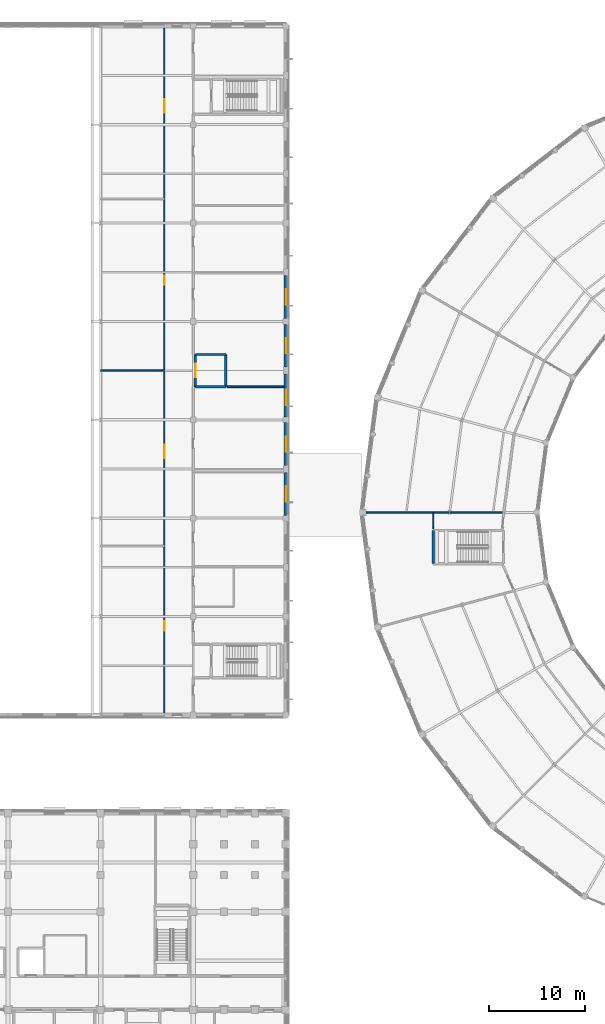
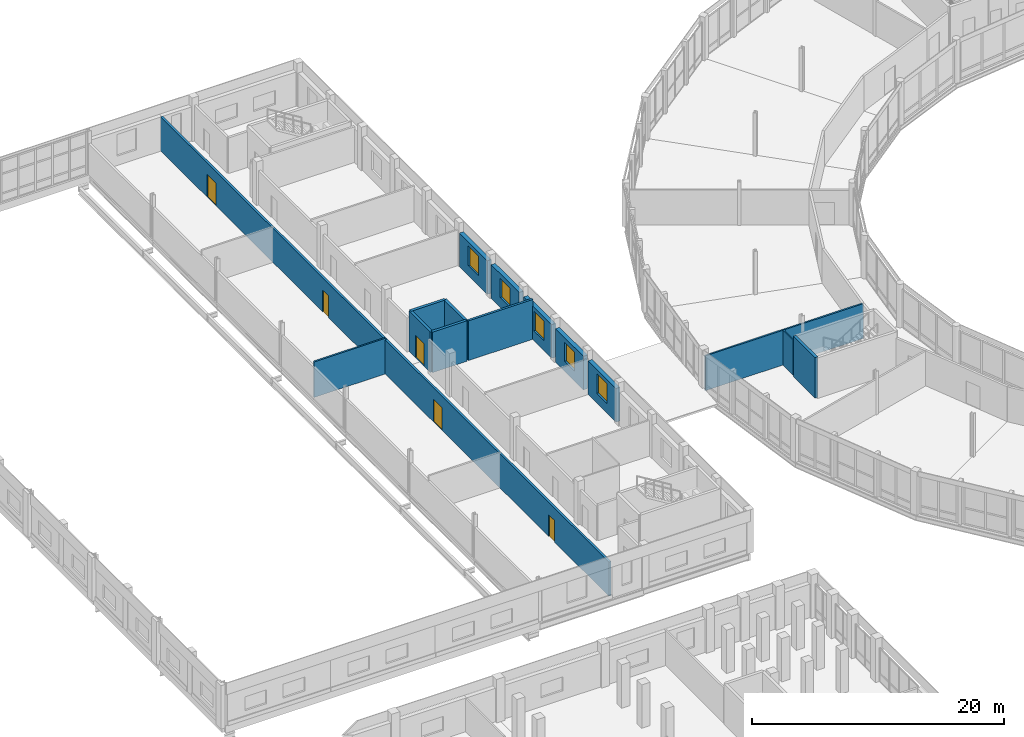
# One storey, part 142 of 170: 15 walls, 5 doors, 5 windows, 10 openings.
"""IFC4 building model written with IfcOpenShell, lengths in metres."""

from ifc_helpers import new_model, si_unit, direction, frame, frame_2d, origin, place, context, subcontext, project, spatial, rectangle, extrude, material, layer, layer_set, type_object, element, fill, save


model = new_model("IFC4")

# Units and contexts
model_context = context("Model", 3, precision=1e-05, world=origin(), true_north=direction((0.0, 1.0)))
body_context = subcontext(model_context, "Body", "Model", "MODEL_VIEW")
ifc_project = project(units=[si_unit("LENGTHUNIT", "METRE"), si_unit("AREAUNIT", "SQUARE_METRE"), si_unit("VOLUMEUNIT", "CUBIC_METRE"), si_unit("PLANEANGLEUNIT", "RADIAN"), si_unit("MASSUNIT", "GRAM", prefix="KILO")], contexts=[model_context])

# Site, building, storey
site_placement = place(None, origin())
site = spatial("IfcSite", under=ifc_project, at=site_placement, CompositionType="ELEMENT")
building_placement = place(site_placement, origin())
building = spatial("IfcBuilding", under=site, at=building_placement, Name="Vondelvale Polytechnic", CompositionType="ELEMENT")
storey_placement = place(building_placement, frame((0.0, 0.0, 5.39990234375)))
storey = spatial("IfcBuildingStorey", under=building, at=storey_placement, Name="L01", CompositionType="ELEMENT", Elevation=5.39990234375)

# Wall, opening, window
ifc_material_1 = material(Name="Amsterdam School iron-spot clinker clay brickwork", Category="masonry")
ifc_layer_1 = layer(ifc_material_1, 0.3798828125)
ifc_layer_set_1 = layer_set([ifc_layer_1], Name="WL-BRICK-380")
wall_type_1 = type_object("IfcWallType", Name="WL-BRICK-380", PredefinedType="SOLIDWALL", material=ifc_layer_set_1)
wall_1_placement = place(storey_placement, frame((48.0, 76.14892578125, 0.0), z_axis=(0.0, 0.0, 1.0), x_axis=(0.0, -1.0, 0.0)))
wall_1 = element("IfcWall", 1, at=wall_1_placement, inside=storey, type_object=wall_type_1, Name="L01 exterior masonry facade wall", PredefinedType="SOLIDWALL", context=body_context, shape_type="SweptSolid", body=[
    extrude(rectangle(XDim=4.447998046875, YDim=0.3798828125, at=frame_2d((2.22412109375, 0.0))), origin(), (0.0, 0.0, 1.0), 3.25),
])
opening_1_placement = place(wall_1_placement, frame((1.424072265625, 0.0, 0.949951171875)))
opening_1 = element("IfcOpeningElement", 2, at=opening_1_placement, cuts=wall_1, Name="Opening WN-0057", PredefinedType="OPENING", context=body_context, shape_type="SweptSolid", body=[
    extrude(rectangle(XDim=1.60009765625, YDim=1.89990234375, at=frame_2d((0.800048828125, 0.949951171875))), frame((0.0, 0.199951171875, 0.0), z_axis=(0.0, -1.0, 0.0), x_axis=(1.0, 0.0, 0.0)), (0.0, 0.0, 1.0), 0.39990234375),
])
ifc_material_2 = material(Name="Double-glazed low-E insulated architectural glass", Category="glass")
window_type_1 = type_object("IfcWindowType", Name="WN-SEM-1600x1900", PartitioningType="SINGLE_PANEL", PredefinedType="WINDOW", material=ifc_material_2)
window_1_placement = place(opening_1_placement, origin())
window_1 = element("IfcWindow", 3, at=window_1_placement, inside=storey, type_object=window_type_1, Name="L01 double-glazed architectural window WN-0057", OverallHeight=1.89990234375, OverallWidth=1.60009765625, PartitioningType="SINGLE_PANEL", PredefinedType="WINDOW", context=body_context, shape_type="SweptSolid", body=[
    extrude(rectangle(XDim=1.60009765625, YDim=1.89990234375, at=frame_2d((0.800048828125, 0.949951171875))), frame((0.0, 0.030029296875, 0.0), z_axis=(0.0, -1.0, 0.0), x_axis=(1.0, 0.0, 0.0)), (0.0, 0.0, 1.0), 0.06005859375),
])
fill(opening_1, window_1)

wall_2_placement = place(storey_placement, frame((48.0, 81.299072265625, 0.0), z_axis=(0.0, 0.0, 1.0), x_axis=(0.0, -1.0, 0.0)))
wall_2 = element("IfcWall", 4, at=wall_2_placement, inside=storey, type_object=wall_type_1, Name="L01 exterior masonry facade wall", PredefinedType="SOLIDWALL", context=body_context, shape_type="SweptSolid", body=[
    extrude(rectangle(XDim=4.447998046875, YDim=0.3798828125, at=frame_2d((2.22412109375, 0.0))), origin(), (0.0, 0.0, 1.0), 3.25),
])
opening_2_placement = place(wall_2_placement, frame((1.448974609375, 0.0, 0.949951171875)))
opening_2 = element("IfcOpeningElement", 5, at=opening_2_placement, cuts=wall_2, Name="Opening WN-0058", PredefinedType="OPENING", context=body_context, shape_type="SweptSolid", body=[
    extrude(rectangle(XDim=1.550048828125, YDim=1.85009765625, at=frame_2d((0.77490234375, 0.925048828125))), frame((0.0, 0.199951171875, 0.0), z_axis=(0.0, -1.0, 0.0), x_axis=(1.0, 0.0, 0.0)), (0.0, 0.0, 1.0), 0.39990234375),
])
window_type_2 = type_object("IfcWindowType", Name="WN-SEM-1550x1850", PartitioningType="SINGLE_PANEL", PredefinedType="WINDOW", material=ifc_material_2)
window_2_placement = place(opening_2_placement, origin())
window_2 = element("IfcWindow", 6, at=window_2_placement, inside=storey, type_object=window_type_2, Name="L01 double-glazed architectural window WN-0058", OverallHeight=1.85009765625, OverallWidth=1.550048828125, PartitioningType="SINGLE_PANEL", PredefinedType="WINDOW", context=body_context, shape_type="SweptSolid", body=[
    extrude(rectangle(XDim=1.550048828125, YDim=1.85009765625, at=frame_2d((0.77490234375, 0.925048828125))), frame((0.0, 0.030029296875, 0.0), z_axis=(0.0, -1.0, 0.0), x_axis=(1.0, 0.0, 0.0)), (0.0, 0.0, 1.0), 0.06005859375),
])
fill(opening_2, window_2)

wall_3_placement = place(storey_placement, frame((48.0, 86.34912109375, 0.0), z_axis=(0.0, 0.0, 1.0), x_axis=(0.0, -1.0, 0.0)))
wall_3 = element("IfcWall", 7, at=wall_3_placement, inside=storey, type_object=wall_type_1, Name="L01 exterior masonry facade wall", PredefinedType="SOLIDWALL", context=body_context, shape_type="SweptSolid", body=[
    extrude(rectangle(XDim=4.4482421875, YDim=0.3798828125, at=frame_2d((2.22412109375, 0.0))), origin(), (0.0, 0.0, 1.0), 3.25),
])
opening_3_placement = place(wall_3_placement, frame((1.64404296875, 0.0, 0.949951171875)))
opening_3 = element("IfcOpeningElement", 8, at=opening_3_placement, cuts=wall_3, Name="Opening WN-0059", PredefinedType="OPENING", context=body_context, shape_type="SweptSolid", body=[
    extrude(rectangle(XDim=1.60009765625, YDim=1.89990234375, at=frame_2d((0.800048828125, 0.949951171875))), frame((0.0, 0.199951171875, 0.0), z_axis=(0.0, -1.0, 0.0), x_axis=(1.0, 0.0, 0.0)), (0.0, 0.0, 1.0), 0.39990234375),
])
window_3_placement = place(opening_3_placement, origin())
window_3 = element("IfcWindow", 9, at=window_3_placement, inside=storey, type_object=window_type_1, Name="L01 double-glazed architectural window WN-0059", OverallHeight=1.89990234375, OverallWidth=1.60009765625, PartitioningType="SINGLE_PANEL", PredefinedType="WINDOW", context=body_context, shape_type="SweptSolid", body=[
    extrude(rectangle(XDim=1.60009765625, YDim=1.89990234375, at=frame_2d((0.800048828125, 0.949951171875))), frame((0.0, 0.030029296875, 0.0), z_axis=(0.0, -1.0, 0.0), x_axis=(1.0, 0.0, 0.0)), (0.0, 0.0, 1.0), 0.06005859375),
])
fill(opening_3, window_3)

wall_4_placement = place(storey_placement, frame((48.0, 91.4990234375, 0.0), z_axis=(0.0, 0.0, 1.0), x_axis=(0.0, -1.0, 0.0)))
wall_4 = element("IfcWall", 10, at=wall_4_placement, inside=storey, type_object=wall_type_1, Name="L01 exterior masonry facade wall", PredefinedType="SOLIDWALL", context=body_context, shape_type="SweptSolid", body=[
    extrude(rectangle(XDim=4.447998046875, YDim=0.3798828125, at=frame_2d((2.22412109375, 0.0))), origin(), (0.0, 0.0, 1.0), 3.25),
])
opening_4_placement = place(wall_4_placement, frame((1.448974609375, 0.0, 0.949951171875)))
opening_4 = element("IfcOpeningElement", 11, at=opening_4_placement, cuts=wall_4, Name="Opening WN-0060", PredefinedType="OPENING", context=body_context, shape_type="SweptSolid", body=[
    extrude(rectangle(XDim=1.550048828125, YDim=1.85009765625, at=frame_2d((0.77490234375, 0.925048828125))), frame((0.0, 0.199951171875, 0.0), z_axis=(0.0, -1.0, 0.0), x_axis=(1.0, 0.0, 0.0)), (0.0, 0.0, 1.0), 0.39990234375),
])
window_4_placement = place(opening_4_placement, origin())
window_4 = element("IfcWindow", 12, at=window_4_placement, inside=storey, type_object=window_type_2, Name="L01 double-glazed architectural window WN-0060", OverallHeight=1.85009765625, OverallWidth=1.550048828125, PartitioningType="SINGLE_PANEL", PredefinedType="WINDOW", context=body_context, shape_type="SweptSolid", body=[
    extrude(rectangle(XDim=1.550048828125, YDim=1.85009765625, at=frame_2d((0.77490234375, 0.925048828125))), frame((0.0, 0.030029296875, 0.0), z_axis=(0.0, -1.0, 0.0), x_axis=(1.0, 0.0, 0.0)), (0.0, 0.0, 1.0), 0.06005859375),
])
fill(opening_4, window_4)

wall_5_placement = place(storey_placement, frame((48.0, 96.549072265625, 0.0), z_axis=(0.0, 0.0, 1.0), x_axis=(0.0, -1.0, 0.0)))
wall_5 = element("IfcWall", 13, at=wall_5_placement, inside=storey, type_object=wall_type_1, Name="L01 exterior masonry facade wall", PredefinedType="SOLIDWALL", context=body_context, shape_type="SweptSolid", body=[
    extrude(rectangle(XDim=4.447998046875, YDim=0.3798828125, at=frame_2d((2.22412109375, 0.0))), origin(), (0.0, 0.0, 1.0), 3.25),
])
opening_5_placement = place(wall_5_placement, frame((1.424072265625, 0.0, 0.949951171875)))
opening_5 = element("IfcOpeningElement", 14, at=opening_5_placement, cuts=wall_5, Name="Opening WN-0061", PredefinedType="OPENING", context=body_context, shape_type="SweptSolid", body=[
    extrude(rectangle(XDim=1.60009765625, YDim=1.89990234375, at=frame_2d((0.800048828125, 0.949951171875))), frame((0.0, 0.199951171875, 0.0), z_axis=(0.0, -1.0, 0.0), x_axis=(1.0, 0.0, 0.0)), (0.0, 0.0, 1.0), 0.39990234375),
])
window_5_placement = place(opening_5_placement, origin())
window_5 = element("IfcWindow", 15, at=window_5_placement, inside=storey, type_object=window_type_1, Name="L01 double-glazed architectural window WN-0061", OverallHeight=1.89990234375, OverallWidth=1.60009765625, PartitioningType="SINGLE_PANEL", PredefinedType="WINDOW", context=body_context, shape_type="SweptSolid", body=[
    extrude(rectangle(XDim=1.60009765625, YDim=1.89990234375, at=frame_2d((0.800048828125, 0.949951171875))), frame((0.0, 0.030029296875, 0.0), z_axis=(0.0, -1.0, 0.0), x_axis=(1.0, 0.0, 0.0)), (0.0, 0.0, 1.0), 0.06005859375),
])
fill(opening_5, window_5)

# Wall
ifc_material_3 = material(Name="Concrete N40 (f'c = 40 MPa)", Category="concrete")
ifc_layer_2 = layer(ifc_material_3, 0.25)
ifc_layer_set_2 = layer_set([ifc_layer_2], Name="WL-CORE-250")
wall_type_2 = type_object("IfcWallType", Name="WL-CORE-250", PredefinedType="SOLIDWALL", material=ifc_layer_set_2)
wall_6_placement = place(storey_placement, frame((63.27490234375, 70.125, 0.0), z_axis=(0.0, 0.0, 1.0), x_axis=(0.0, -1.0, 0.0)))
element("IfcWall", 16, at=wall_6_placement, inside=storey, type_object=wall_type_2, Name="L01 ST-10 reinforced concrete stair core wall", PredefinedType="SOLIDWALL", context=body_context, shape_type="SweptSolid", body=[
    extrude(rectangle(XDim=3.449951171875, YDim=0.25, at=frame_2d((1.72509765625, 0.0))), origin(), (0.0, 0.0, 1.0), 3.920166015625),
])

# Wall, openings, doors
ifc_material_4 = material(Name="Fire-rated double-layer plasterboard stud partition")
ifc_layer_3 = layer(ifc_material_4, 0.199951171875)
ifc_layer_set_3 = layer_set([ifc_layer_3], Name="WL-CORR-200")
wall_type_3 = type_object("IfcWallType", Name="WL-CORR-200", PredefinedType="PARTITIONING", material=ifc_layer_set_3)
wall_7_placement = place(storey_placement, frame((35.39990234375, 51.14990234375, 0.0), z_axis=(0.0, 0.0, 1.0), x_axis=(0.0, 1.0, 0.0)))
wall_7 = element("IfcWall", 17, at=wall_7_placement, inside=storey, type_object=wall_type_3, Name="L01 interior acoustic partition", PredefinedType="PARTITIONING", context=body_context, shape_type="SweptSolid", body=[
    extrude(rectangle(XDim=71.10009765625, YDim=0.199951171875, at=frame_2d((35.550048828125, 0.0))), origin(), (0.0, 0.0, 1.0), 3.298095703125),
])
opening_6_placement = place(wall_7_placement, frame((8.60009765625, 0.0, 0.0)))
opening_6 = element("IfcOpeningElement", 18, at=opening_6_placement, cuts=wall_7, Name="Opening ID-0104", PredefinedType="OPENING", context=body_context, shape_type="SweptSolid", body=[
    extrude(rectangle(XDim=0.949951171875, YDim=2.10009765625, at=frame_2d((0.47509765625, 1.050048828125))), frame((0.0, 0.10986328125, 0.0), z_axis=(0.0, -1.0, 0.0), x_axis=(1.0, 0.0, 0.0)), (0.0, 0.0, 1.0), 0.219970703125),
])
opening_7_placement = place(wall_7_placement, frame((26.449951171875, 0.0, 0.0)))
opening_7 = element("IfcOpeningElement", 19, at=opening_7_placement, cuts=wall_7, Name="Opening ID-0105", PredefinedType="OPENING", context=body_context, shape_type="SweptSolid", body=[
    extrude(rectangle(XDim=1.39990234375, YDim=2.199951171875, at=frame_2d((0.699951171875, 1.10009765625))), frame((0.0, 0.10986328125, 0.0), z_axis=(0.0, -1.0, 0.0), x_axis=(1.0, 0.0, 0.0)), (0.0, 0.0, 1.0), 0.219970703125),
])
opening_8_placement = place(wall_7_placement, frame((44.449951171875, 0.0, 0.0)))
opening_8 = element("IfcOpeningElement", 20, at=opening_8_placement, cuts=wall_7, Name="Opening ID-0106", PredefinedType="OPENING", context=body_context, shape_type="SweptSolid", body=[
    extrude(rectangle(XDim=0.949951171875, YDim=2.10009765625, at=frame_2d((0.47509765625, 1.050048828125))), frame((0.0, 0.10986328125, 0.0), z_axis=(0.0, -1.0, 0.0), x_axis=(1.0, 0.0, 0.0)), (0.0, 0.0, 1.0), 0.219970703125),
])
opening_9_placement = place(wall_7_placement, frame((62.300048828125, 0.0, 0.0)))
opening_9 = element("IfcOpeningElement", 21, at=opening_9_placement, cuts=wall_7, Name="Opening ID-0107", PredefinedType="OPENING", context=body_context, shape_type="SweptSolid", body=[
    extrude(rectangle(XDim=1.39990234375, YDim=2.199951171875, at=frame_2d((0.699951171875, 1.10009765625))), frame((0.0, 0.10986328125, 0.0), z_axis=(0.0, -1.0, 0.0), x_axis=(1.0, 0.0, 0.0)), (0.0, 0.0, 1.0), 0.219970703125),
])
ifc_material_5 = material(Name="Fire-rated solid Tasmanian oak joinery")
door_type_1 = type_object("IfcDoorType", Name="DR-INT-0950x2100", OperationType="SINGLE_SWING_LEFT", PredefinedType="DOOR", material=ifc_material_5)
door_1_placement = place(opening_6_placement, origin())
door_1 = element("IfcDoor", 22, at=door_1_placement, inside=storey, type_object=door_type_1, Name="L01 interior room door ID-0104", OperationType="SINGLE_SWING_RIGHT", OverallHeight=2.10009765625, OverallWidth=0.949951171875, PredefinedType="DOOR", context=body_context, shape_type="SweptSolid", body=[
    extrude(rectangle(XDim=0.949951171875, YDim=2.10009765625, at=frame_2d((0.47509765625, 1.050048828125))), frame((0.0, 0.02490234375, 0.0), z_axis=(0.0, -1.0, 0.0), x_axis=(1.0, 0.0, 0.0)), (0.0, 0.0, 1.0), 0.050048828125),
])
fill(opening_6, door_1)
door_2_placement = place(opening_8_placement, origin())
door_2 = element("IfcDoor", 23, at=door_2_placement, inside=storey, type_object=door_type_1, Name="L01 interior room door ID-0106", OperationType="SINGLE_SWING_RIGHT", OverallHeight=2.10009765625, OverallWidth=0.949951171875, PredefinedType="DOOR", context=body_context, shape_type="SweptSolid", body=[
    extrude(rectangle(XDim=0.949951171875, YDim=2.10009765625, at=frame_2d((0.47509765625, 1.050048828125))), frame((0.0, 0.02490234375, 0.0), z_axis=(0.0, -1.0, 0.0), x_axis=(1.0, 0.0, 0.0)), (0.0, 0.0, 1.0), 0.050048828125),
])
fill(opening_8, door_2)
door_type_2 = type_object("IfcDoorType", Name="DR-LAB-1400x2200", OperationType="DOUBLE_DOOR_SINGLE_SWING", PredefinedType="DOOR", material=ifc_material_5)
door_3_placement = place(opening_7_placement, origin())
door_3 = element("IfcDoor", 24, at=door_3_placement, inside=storey, type_object=door_type_2, Name="L01 interior room door ID-0105", OperationType="DOUBLE_DOOR_SINGLE_SWING", OverallHeight=2.199951171875, OverallWidth=1.39990234375, PredefinedType="DOOR", context=body_context, shape_type="SweptSolid", body=[
    extrude(rectangle(XDim=1.39990234375, YDim=2.199951171875, at=frame_2d((0.699951171875, 1.10009765625))), frame((0.0, 0.02490234375, 0.0), z_axis=(0.0, -1.0, 0.0), x_axis=(1.0, 0.0, 0.0)), (0.0, 0.0, 1.0), 0.050048828125),
])
fill(opening_7, door_3)
door_4_placement = place(opening_9_placement, origin())
door_4 = element("IfcDoor", 25, at=door_4_placement, inside=storey, type_object=door_type_2, Name="L01 interior room door ID-0107", OperationType="DOUBLE_DOOR_SINGLE_SWING", OverallHeight=2.199951171875, OverallWidth=1.39990234375, PredefinedType="DOOR", context=body_context, shape_type="SweptSolid", body=[
    extrude(rectangle(XDim=1.39990234375, YDim=2.199951171875, at=frame_2d((0.699951171875, 1.10009765625))), frame((0.0, 0.02490234375, 0.0), z_axis=(0.0, -1.0, 0.0), x_axis=(1.0, 0.0, 0.0)), (0.0, 0.0, 1.0), 0.050048828125),
])
fill(opening_9, door_4)

# Walls
wall_8_placement = place(storey_placement, frame((41.93994140625, 85.02490234375, 0.0), z_axis=(0.0, 0.0, 1.0), x_axis=(1.0, 0.0, 0.0)))
element("IfcWall", 26, at=wall_8_placement, inside=storey, type_object=wall_type_3, Name="L01 interior acoustic partition", PredefinedType="PARTITIONING", context=body_context, shape_type="SweptSolid", body=[
    extrude(rectangle(XDim=5.91015625, YDim=0.199951171875, at=frame_2d((2.955078125, 0.0))), origin(), (0.0, 0.0, 1.0), 3.85009765625),
])
ifc_layer_4 = layer(ifc_material_4, 0.1201171875)
ifc_layer_set_4 = layer_set([ifc_layer_4], Name="WL-INT-120")
wall_type_4 = type_object("IfcWallType", Name="WL-INT-120", PredefinedType="PARTITIONING", material=ifc_layer_set_4)
wall_9_placement = place(storey_placement, frame((63.277099609375, 70.2900390625, 0.0), z_axis=(0.0, 0.0, 1.0), x_axis=(0.013419693814, 0.999909951855, 0.0)))
element("IfcWall", 27, at=wall_9_placement, inside=storey, type_object=wall_type_4, Name="L01 interior acoustic partition", PredefinedType="PARTITIONING", context=body_context, shape_type="SweptSolid", body=[
    extrude(rectangle(XDim=1.710205078125, YDim=0.1201171875, at=frame_2d((0.85498046875, 0.0))), origin(), (0.0, 0.0, 1.0), 3.3671875),
])
ifc_layer_5 = layer(ifc_material_4, 0.14990234375)
ifc_layer_set_5 = layer_set([ifc_layer_5], Name="WL-INT-150")
wall_type_5 = type_object("IfcWallType", Name="WL-INT-150", PredefinedType="PARTITIONING", material=ifc_layer_set_5)
wall_10_placement = place(storey_placement, frame((28.800048828125, 86.699951171875, 0.0), z_axis=(0.0, 0.0, 1.0), x_axis=(1.0, 0.0, 0.0)))
element("IfcWall", 28, at=wall_10_placement, inside=storey, type_object=wall_type_5, Name="L01 interior acoustic partition", PredefinedType="PARTITIONING", context=body_context, shape_type="SweptSolid", body=[
    extrude(rectangle(XDim=6.599853515625, YDim=0.14990234375, at=frame_2d((3.2998046875, 0.0))), origin(), (0.0, 0.0, 1.0), 3.443115234375),
])
wall_11_placement = place(storey_placement, frame((70.60009765625, 72.0, 0.0), z_axis=(0.0, 0.0, 1.0), x_axis=(-1.0, 0.0, 0.0)))
element("IfcWall", 29, at=wall_11_placement, inside=storey, type_object=wall_type_5, Name="L01 interior acoustic partition", PredefinedType="PARTITIONING", context=body_context, shape_type="SweptSolid", body=[
    extrude(rectangle(XDim=14.47998046875, YDim=0.14990234375, at=frame_2d((7.239990234375, 0.0))), origin(), (0.0, 0.0, 1.0), 3.3671875),
])
ifc_layer_6 = layer(ifc_material_3, 0.25)
ifc_layer_set_6 = layer_set([ifc_layer_6], Name="WL-SHAFT-250")
wall_type_6 = type_object("IfcWallType", Name="WL-SHAFT-250", PredefinedType="SOLIDWALL", material=ifc_layer_set_6)
wall_12_placement = place(storey_placement, frame((38.625, 85.02490234375, 0.0), z_axis=(0.0, 0.0, 1.0), x_axis=(1.0, 0.0, 0.0)))
element("IfcWall", 30, at=wall_12_placement, inside=storey, type_object=wall_type_6, Name="L01 GL-01 lift shaft wall S", PredefinedType="SOLIDWALL", context=body_context, shape_type="SweptSolid", body=[
    extrude(rectangle(XDim=3.14990234375, YDim=0.25, at=frame_2d((1.574951171875, 0.0))), origin(), (0.0, 0.0, 1.0), 3.920166015625),
])
wall_13_placement = place(storey_placement, frame((41.77490234375, 85.02490234375, 0.0), z_axis=(0.0, 0.0, 1.0), x_axis=(0.0, 1.0, 0.0)))
element("IfcWall", 31, at=wall_13_placement, inside=storey, type_object=wall_type_6, Name="L01 GL-01 lift shaft wall E", PredefinedType="SOLIDWALL", context=body_context, shape_type="SweptSolid", body=[
    extrude(rectangle(XDim=3.35009765625, YDim=0.25, at=frame_2d((1.675048828125, 0.0))), origin(), (0.0, 0.0, 1.0), 3.920166015625),
])
wall_14_placement = place(storey_placement, frame((41.77490234375, 88.375, 0.0), z_axis=(0.0, 0.0, 1.0), x_axis=(-1.0, 0.0, 0.0)))
element("IfcWall", 32, at=wall_14_placement, inside=storey, type_object=wall_type_6, Name="L01 GL-01 lift shaft wall N", PredefinedType="SOLIDWALL", context=body_context, shape_type="SweptSolid", body=[
    extrude(rectangle(XDim=3.14990234375, YDim=0.25, at=frame_2d((1.574951171875, 0.0))), origin(), (0.0, 0.0, 1.0), 3.920166015625),
])

# Wall, opening, door
wall_15_placement = place(storey_placement, frame((38.625, 88.375, 0.0), z_axis=(0.0, 0.0, 1.0), x_axis=(0.0, -1.0, 0.0)))
wall_15 = element("IfcWall", 33, at=wall_15_placement, inside=storey, type_object=wall_type_6, Name="L01 GL-01 lift shaft wall W", PredefinedType="SOLIDWALL", context=body_context, shape_type="SweptSolid", body=[
    extrude(rectangle(XDim=3.35009765625, YDim=0.25, at=frame_2d((1.675048828125, 0.0))), origin(), (0.0, 0.0, 1.0), 3.920166015625),
])
opening_10_placement = place(wall_15_placement, frame((0.97509765625, 0.0, 0.0)))
opening_10 = element("IfcOpeningElement", 34, at=opening_10_placement, cuts=wall_15, Name="Opening LD-047", PredefinedType="OPENING", context=body_context, shape_type="SweptSolid", body=[
    extrude(rectangle(XDim=1.39990234375, YDim=2.199951171875, at=frame_2d((0.699951171875, 1.10009765625))), frame((0.0, 0.135009765625, 0.0), z_axis=(0.0, -1.0, 0.0), x_axis=(1.0, 0.0, 0.0)), (0.0, 0.0, 1.0), 0.27001953125),
])
ifc_material_6 = material(Name="Brushed architectural stainless and zinc-coated metal")
door_type_3 = type_object("IfcDoorType", Name="DR-LIFT-1400x2200", OperationType="DOUBLE_DOOR_SLIDING", PredefinedType="DOOR", material=ifc_material_6)
door_5_placement = place(opening_10_placement, origin())
door_5 = element("IfcDoor", 35, at=door_5_placement, inside=storey, type_object=door_type_3, Name="L01 GL-01 sliding lift landing door", OperationType="DOUBLE_DOOR_SLIDING", OverallHeight=2.199951171875, OverallWidth=1.39990234375, PredefinedType="DOOR", context=body_context, shape_type="SweptSolid", body=[
    extrude(rectangle(XDim=1.39990234375, YDim=2.199951171875, at=frame_2d((0.699951171875, 1.10009765625))), frame((0.0, 0.02490234375, 0.0), z_axis=(0.0, -1.0, 0.0), x_axis=(1.0, 0.0, 0.0)), (0.0, 0.0, 1.0), 0.050048828125),
])
fill(opening_10, door_5)

save(model, "model.ifc")
